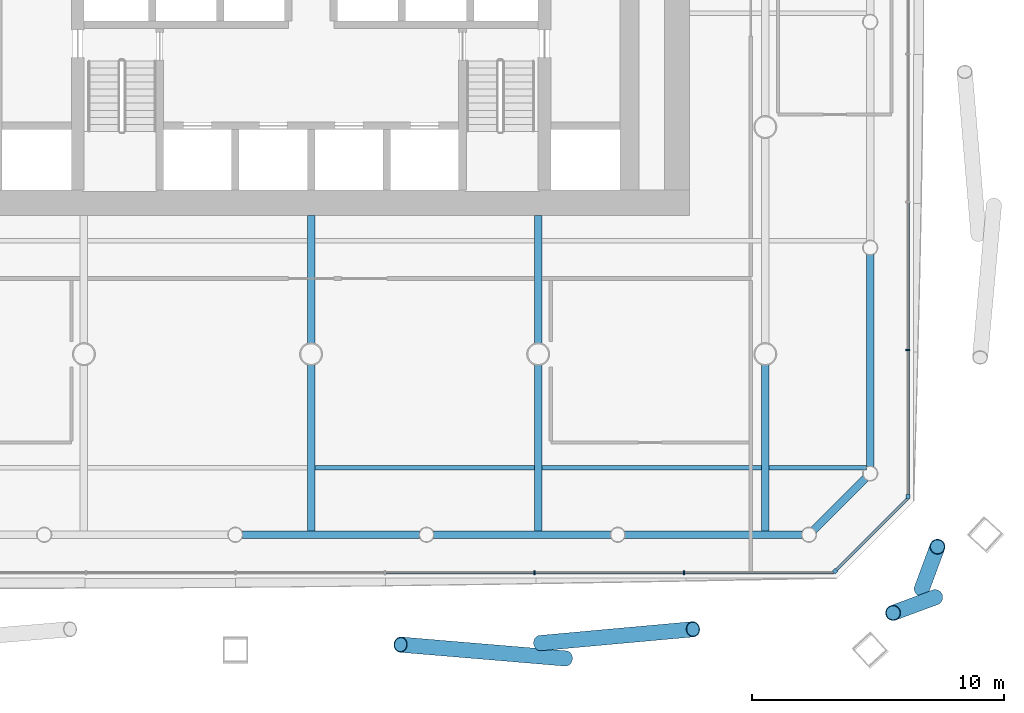
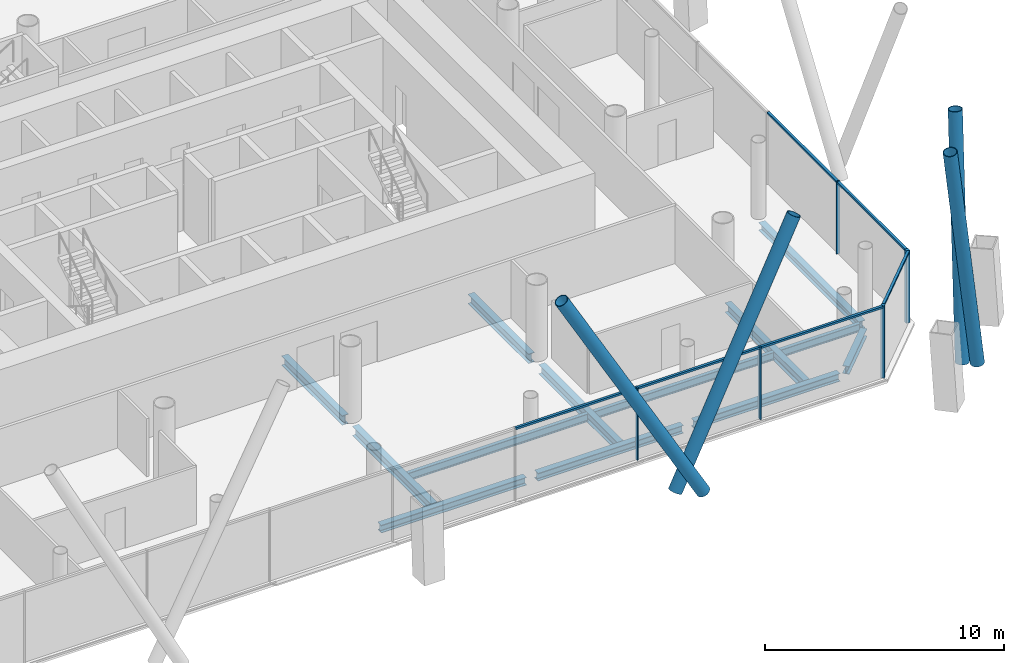
# One storey, part 7 of 25: 15 members, 13 beams, 3 elements without a shape of their own.
"""IFC4 building model written with IfcOpenShell, lengths in metres."""

from ifc_helpers import new_model, si_unit, direction, frame, origin, origin_2d, place, context, subcontext, project, spatial, rectangle, hollow_circle, i_section, extrude, material, material_profile, profile_set, type_object, element, aggregate, save


model = new_model("IFC4")

# Units and contexts
model_context = context("Model", 3, precision=1e-05, world=origin(), true_north=direction((0.0, 1.0)))
body_context = subcontext(model_context, "Body", "Model", "MODEL_VIEW")
ifc_project = project(units=[si_unit("LENGTHUNIT", "METRE"), si_unit("AREAUNIT", "SQUARE_METRE"), si_unit("VOLUMEUNIT", "CUBIC_METRE"), si_unit("PLANEANGLEUNIT", "RADIAN"), si_unit("MASSUNIT", "GRAM", prefix="KILO")], contexts=[model_context])

# Site, building, storey
site_placement = place(None, origin())
site = spatial("IfcSite", under=ifc_project, at=site_placement, CompositionType="ELEMENT")
building_placement = place(site_placement, origin())
building = spatial("IfcBuilding", under=site, at=building_placement, Name="Tskaro Facet Tower", CompositionType="ELEMENT")
storey_placement = place(building_placement, frame((0.0, 0.0, 34.199951171875)))
storey = spatial("IfcBuildingStorey", under=building, at=storey_placement, Name="L07", CompositionType="ELEMENT", Elevation=34.199951171875)

# Members
ifc_material_1 = material(Name="Steel S355J2H", Category="steel")
ifc_material_profile_1 = material_profile(ifc_material_1, hollow_circle(Radius=0.304931640625, WallThickness=0.030029296875, at=origin_2d()), Name="CHS 610x30")
ifc_profile_set_1 = profile_set([ifc_material_profile_1], Name="Steel S355J2H")
member_type_1 = type_object("IfcMemberType", Name="CHS 610x30 brace", PredefinedType="BRACE", material=ifc_profile_set_1)
member_1_placement = place(storey_placement, frame((9.090087890625, -29.449462890625, 0.0), z_axis=(0.458620557373, 0.041546280702, 0.887660459249), x_axis=(-0.090220221622, 0.995921840111, 0.0)))
element("IfcMember", 1, at=member_1_placement, inside=storey, type_object=member_type_1, Name="CHS 610x30 XB02A/1", PredefinedType="BRACE", context=body_context, shape_type="SweptSolid", body=[
    extrude(hollow_circle(Radius=0.304931640625, WallThickness=0.030029296875, at=origin_2d()), origin(), (0.0, 0.0, 1.0), 13.1806640625),
])
member_2_placement = place(storey_placement, frame((10.090576171875, -30.0595703125, 0.0), z_axis=(-0.487823530794, 0.040830884114, 0.871986835741), x_axis=(-0.083408454157, -0.996515443822, 0.0)))
element("IfcMember", 2, at=member_2_placement, inside=storey, type_object=member_type_1, Name="CHS 610x30 XB02B/1", PredefinedType="BRACE", context=body_context, shape_type="SweptSolid", body=[
    extrude(hollow_circle(Radius=0.304931640625, WallThickness=0.030029296875, at=origin_2d()), origin(), (0.0, 0.0, 1.0), 13.41748046875),
])
for number, where, z_axis, x_axis, name in (
    (3, (24.204345703125, -27.29931640625, 0.0), (0.052337663775, 0.140901160262, 0.988639283049), (-0.937418872093, 0.348203759663, 0.0), "CHS 610x30 XB03A/1"),
    (4, (24.730712890625, -27.6357421875, 0.0), (-0.140901160262, -0.052337663775, 0.988639283049), (0.348203759663, -0.937418872093, 0.0), "CHS 610x30 XB03B/1"),
):
    element("IfcMember", number, at=place(storey_placement, frame(where, z_axis=z_axis, x_axis=x_axis)), inside=storey, type_object=member_type_1, Name=name, PredefinedType="BRACE", context=body_context, shape_type="SweptSolid", body=[
        extrude(hollow_circle(Radius=0.304931640625, WallThickness=0.030029296875, at=origin_2d()), origin(), (0.0, 0.0, 1.0), 11.83447265625),
    ])

# Curtain wall, member
ifc_material_2 = material(Name="Bronze anodised aluminium 6063-T6", Category="aluminium")
curtain_wall_type = type_object("IfcCurtainWallType", Name="Bronze office curtain wall (FW1)", PredefinedType="NOTDEFINED", material=ifc_material_2)
curtain_wall_1_placement = place(storey_placement, origin())
curtain_wall_1 = element("IfcCurtainWall", 5, at=curtain_wall_1_placement, inside=storey, type_object=curtain_wall_type, Name="FW1 south-east facet L07", PredefinedType="NOTDEFINED")
ifc_material_profile_2 = material_profile(ifc_material_2, rectangle(XDim=0.159912109375, YDim=0.159912109375, at=origin_2d()), Name="Corner post 160x160")
ifc_profile_set_2 = profile_set([ifc_material_profile_2], Name="Bronze anodised aluminium 6063-T6")
member_type_2 = type_object("IfcMemberType", Name="FW1 bronze corner post 160x160", PredefinedType="MULLION", material=ifc_profile_set_2)
member_3_placement = place(storey_placement, frame((20.76953125, -26.597412109375, 0.0), z_axis=(0.0, 0.0, 1.0), x_axis=(0.707106781187, 0.707106781187, 0.0)))
member_3 = element("IfcMember", 6, at=member_3_placement, type_object=member_type_2, Name="FW1 south-east corner post", PredefinedType="MULLION", context=body_context, shape_type="SweptSolid", body=[
    extrude(rectangle(XDim=0.159912109375, YDim=0.159912109375, at=origin_2d()), origin(), (0.0, 0.0, 1.0), 3.699951171875),
])

curtain_wall_2_placement = place(storey_placement, origin())
curtain_wall_2 = element("IfcCurtainWall", 7, at=curtain_wall_2_placement, inside=storey, type_object=curtain_wall_type, Name="FW1 east facet L07", PredefinedType="NOTDEFINED")
member_4_placement = place(storey_placement, frame((23.654052734375, -23.633056640625, 0.0), z_axis=(0.0, 0.0, 1.0), x_axis=(0.0, 1.0, 0.0)))
member_4 = element("IfcMember", 8, at=member_4_placement, type_object=member_type_2, Name="FW1 east corner post", PredefinedType="MULLION", context=body_context, shape_type="SweptSolid", body=[
    extrude(rectangle(XDim=0.159912109375, YDim=0.159912109375, at=origin_2d()), origin(), (0.0, 0.0, 1.0), 3.699951171875),
])

# Curtain wall, members
curtain_wall_3_placement = place(storey_placement, origin())
curtain_wall_3 = element("IfcCurtainWall", 9, at=curtain_wall_3_placement, inside=storey, type_object=curtain_wall_type, Name="FW1 south facet L07", PredefinedType="NOTDEFINED")
ifc_material_profile_3 = material_profile(ifc_material_2, rectangle(XDim=0.06005859375, YDim=0.159912109375, at=origin_2d()), Name="Mullion 60x160")
ifc_profile_set_3 = profile_set([ifc_material_profile_3], Name="Bronze anodised aluminium 6063-T6")
member_type_3 = type_object("IfcMemberType", Name="FW1 bronze mullion 60x160", PredefinedType="MULLION", material=ifc_profile_set_3)
member_5_placement = place(storey_placement, frame((8.8564453125, -26.654052734375, 0.0), z_axis=(0.0, 0.0, 1.0), x_axis=(1.0, 0.0, 0.0)))
member_5 = element("IfcMember", 10, at=member_5_placement, type_object=member_type_3, Name="FW1 south mullion 6", PredefinedType="MULLION", context=body_context, shape_type="SweptSolid", body=[
    extrude(rectangle(XDim=0.06005859375, YDim=0.159912109375, at=origin_2d()), origin(), (0.0, 0.0, 1.0), 3.699951171875),
])
member_6_placement = place(storey_placement, frame((14.78466796875, -26.654052734375, 0.0), z_axis=(0.0, 0.0, 1.0), x_axis=(1.0, 0.0, 0.0)))
member_6 = element("IfcMember", 11, at=member_6_placement, type_object=member_type_3, Name="FW1 south mullion 7", PredefinedType="MULLION", context=body_context, shape_type="SweptSolid", body=[
    extrude(rectangle(XDim=0.06005859375, YDim=0.159912109375, at=origin_2d()), origin(), (0.0, 0.0, 1.0), 3.699951171875),
])

# Member
member_7_placement = place(storey_placement, frame((23.654052734375, -17.844482421875, 0.0), z_axis=(0.0, 0.0, 1.0), x_axis=(0.0, 1.0, 0.0)))
member_7 = element("IfcMember", 12, at=member_7_placement, type_object=member_type_3, Name="FW1 east mullion 1", PredefinedType="MULLION", context=body_context, shape_type="SweptSolid", body=[
    extrude(rectangle(XDim=0.06005859375, YDim=0.159912109375, at=origin_2d()), origin(), (0.0, 0.0, 1.0), 3.699951171875),
])

ifc_material_profile_4 = material_profile(ifc_material_2, rectangle(XDim=0.1201171875, YDim=0.10009765625, at=origin_2d()), Name="Transom 120x100")
ifc_profile_set_4 = profile_set([ifc_material_profile_4], Name="Bronze anodised aluminium 6063-T6")
member_type_4 = type_object("IfcMemberType", Name="FW1 bronze transom 120x100", PredefinedType="USERDEFINED", material=ifc_profile_set_4)
member_8_placement = place(storey_placement, frame((2.958251953125, -26.654052734375, 3.650146484375), z_axis=(1.0, 0.0, 0.0), x_axis=(0.0, 1.0, 0.0)))
member_8 = element("IfcMember", 13, at=member_8_placement, type_object=member_type_4, Name="FW1 south transom 6.1", ObjectType="TRANSOM", PredefinedType="USERDEFINED", context=body_context, shape_type="SweptSolid", body=[
    extrude(rectangle(XDim=0.1201171875, YDim=0.10009765625, at=origin_2d()), origin(), (0.0, 0.0, 1.0), 5.8681640625),
])

member_9_placement = place(storey_placement, frame((8.886474609375, -26.654052734375, 3.650146484375), z_axis=(1.0, 0.0, 0.0), x_axis=(0.0, 1.0, 0.0)))
member_9 = element("IfcMember", 14, at=member_9_placement, type_object=member_type_4, Name="FW1 south transom 7.1", ObjectType="TRANSOM", PredefinedType="USERDEFINED", context=body_context, shape_type="SweptSolid", body=[
    extrude(rectangle(XDim=0.1201171875, YDim=0.10009765625, at=origin_2d()), origin(), (0.0, 0.0, 1.0), 5.8681640625),
])

member_10_placement = place(storey_placement, frame((14.814697265625, -26.654052734375, 3.650146484375), z_axis=(1.0, 0.0, 0.0), x_axis=(0.0, 1.0, 0.0)))
member_10 = element("IfcMember", 15, at=member_10_placement, type_object=member_type_4, Name="FW1 south transom 8.1", ObjectType="TRANSOM", PredefinedType="USERDEFINED", context=body_context, shape_type="SweptSolid", body=[
    extrude(rectangle(XDim=0.1201171875, YDim=0.10009765625, at=origin_2d()), origin(), (0.0, 0.0, 1.0), 5.898193359375),
])

aggregate(curtain_wall_3, [member_5, member_6, member_8, member_9, member_10])

member_11_placement = place(storey_placement, frame((20.826171875, -26.540771484375, 3.650146484375), z_axis=(0.707106781187, 0.707106781187, 0.0), x_axis=(-0.707106781187, 0.707106781187, 0.0)))
member_11 = element("IfcMember", 16, at=member_11_placement, type_object=member_type_4, Name="FW1 south-east transom 1.1", ObjectType="TRANSOM", PredefinedType="USERDEFINED", context=body_context, shape_type="SweptSolid", body=[
    extrude(rectangle(XDim=0.1201171875, YDim=0.10009765625, at=origin_2d()), origin(), (0.0, 0.0, 1.0), 3.999267578125),
])

aggregate(curtain_wall_1, [member_3, member_11])

member_12_placement = place(storey_placement, frame((23.654052734375, -23.552978515625, 3.650146484375), z_axis=(0.0, 1.0, 0.0), x_axis=(-1.0, 0.0, 0.0)))
member_12 = element("IfcMember", 17, at=member_12_placement, type_object=member_type_4, Name="FW1 east transom 1.1", ObjectType="TRANSOM", PredefinedType="USERDEFINED", context=body_context, shape_type="SweptSolid", body=[
    extrude(rectangle(XDim=0.1201171875, YDim=0.10009765625, at=origin_2d()), origin(), (0.0, 0.0, 1.0), 5.678466796875),
])

member_13_placement = place(storey_placement, frame((23.654052734375, -17.814453125, 3.650146484375), z_axis=(0.0, 1.0, 0.0), x_axis=(-1.0, 0.0, 0.0)))
member_13 = element("IfcMember", 18, at=member_13_placement, type_object=member_type_4, Name="FW1 east transom 2.1", ObjectType="TRANSOM", PredefinedType="USERDEFINED", context=body_context, shape_type="SweptSolid", body=[
    extrude(rectangle(XDim=0.1201171875, YDim=0.10009765625, at=origin_2d()), origin(), (0.0, 0.0, 1.0), 5.808349609375),
])

aggregate(curtain_wall_2, [member_4, member_7, member_12, member_13])

# Beams
ifc_material_3 = material(Name="Steel S355J2", Category="steel")
ifc_material_profile_5 = material_profile(ifc_material_3, i_section(OverallWidth=0.300048828125, OverallDepth=0.39990234375, WebThickness=0.013427734375, FlangeThickness=0.02392578125, FilletRadius=0.027099609375, at=origin_2d()), Name="HE 400 B")
ifc_profile_set_5 = profile_set([ifc_material_profile_5], Name="Steel S355J2")
beam_type_1 = type_object("IfcBeamType", Name="HE 400 B ring beam", PredefinedType="BEAM", material=ifc_profile_set_5)
beam_1_placement = place(storey_placement, frame((-2.72509765625, -25.156982421875, -0.33984375), z_axis=(1.0, 0.0, 0.0), x_axis=(0.0, 1.0, 0.0)))
element("IfcBeam", 19, at=beam_1_placement, inside=storey, type_object=beam_type_1, Name="HE 400 B EB4-1", PredefinedType="BEAM", context=body_context, shape_type="SweptSolid", body=[
    extrude(i_section(OverallWidth=0.300048828125, OverallDepth=0.39990234375, WebThickness=0.013427734375, FlangeThickness=0.02392578125, FilletRadius=0.027099609375, at=origin_2d()), origin(), (0.0, 0.0, 1.0), 7.026123046875),
])
beam_2_placement = place(storey_placement, frame((4.85107421875, -25.156982421875, -0.33984375), z_axis=(1.0, 0.0, 0.0), x_axis=(0.0, 1.0, 0.0)))
element("IfcBeam", 20, at=beam_2_placement, inside=storey, type_object=beam_type_1, Name="HE 400 B EB5-1", PredefinedType="BEAM", context=body_context, shape_type="SweptSolid", body=[
    extrude(i_section(OverallWidth=0.300048828125, OverallDepth=0.39990234375, WebThickness=0.013427734375, FlangeThickness=0.02392578125, FilletRadius=0.027099609375, at=origin_2d()), origin(), (0.0, 0.0, 1.0), 7.02685546875),
])
beam_3_placement = place(storey_placement, frame((12.427978515625, -25.156982421875, -0.33984375), z_axis=(1.0, 0.0, 0.0), x_axis=(0.0, 1.0, 0.0)))
element("IfcBeam", 21, at=beam_3_placement, inside=storey, type_object=beam_type_1, Name="HE 400 B EB6-1", PredefinedType="BEAM", context=body_context, shape_type="SweptSolid", body=[
    extrude(i_section(OverallWidth=0.300048828125, OverallDepth=0.39990234375, WebThickness=0.013427734375, FlangeThickness=0.02392578125, FilletRadius=0.027099609375, at=origin_2d()), origin(), (0.0, 0.0, 1.0), 7.026123046875),
])
beam_4_placement = place(storey_placement, frame((19.92333984375, -24.962646484375, -0.33984375), z_axis=(0.707106781187, 0.707106781187, 0.0), x_axis=(-0.707106781187, 0.707106781187, 0.0)))
element("IfcBeam", 22, at=beam_4_placement, inside=storey, type_object=beam_type_1, Name="HE 400 B EB7-1", PredefinedType="BEAM", context=body_context, shape_type="SweptSolid", body=[
    extrude(i_section(OverallWidth=0.300048828125, OverallDepth=0.39990234375, WebThickness=0.013427734375, FlangeThickness=0.02392578125, FilletRadius=0.027099609375, at=origin_2d()), origin(), (0.0, 0.0, 1.0), 2.884033203125),
])
beam_5_placement = place(storey_placement, frame((22.156982421875, -22.4541015625, -0.33984375), z_axis=(0.0, 1.0, 0.0), x_axis=(-1.0, 0.0, 0.0)))
element("IfcBeam", 23, at=beam_5_placement, inside=storey, type_object=beam_type_1, Name="HE 400 B EB8-1", PredefinedType="BEAM", context=body_context, shape_type="SweptSolid", body=[
    extrude(i_section(OverallWidth=0.300048828125, OverallDepth=0.39990234375, WebThickness=0.013427734375, FlangeThickness=0.02392578125, FilletRadius=0.027099609375, at=origin_2d()), origin(), (0.0, 0.0, 1.0), 8.398193359375),
])
ifc_material_profile_6 = material_profile(ifc_material_3, i_section(OverallWidth=0.300048828125, OverallDepth=0.489990234375, WebThickness=0.011962890625, FlangeThickness=0.02294921875, FilletRadius=0.027099609375, at=origin_2d()), Name="HE 500 A")
ifc_profile_set_6 = profile_set([ifc_material_profile_6], Name="Steel S355J2")
beam_type_2 = type_object("IfcBeamType", Name="HE 500 A girder", PredefinedType="BEAM", material=ifc_profile_set_6)
beam_6_placement = place(storey_placement, frame((0.0, -25.007080078125, -0.385009765625), z_axis=(0.0, 1.0, 0.0), x_axis=(-1.0, 0.0, 0.0)))
element("IfcBeam", 24, at=beam_6_placement, inside=storey, type_object=beam_type_2, Name="HE 500 A GB4-1-1", PredefinedType="BEAM", context=body_context, shape_type="SweptSolid", body=[
    extrude(i_section(OverallWidth=0.300048828125, OverallDepth=0.489990234375, WebThickness=0.011962890625, FlangeThickness=0.02294921875, FilletRadius=0.027099609375, at=origin_2d()), origin(), (0.0, 0.0, 1.0), 6.579833984375),
])
beam_7_placement = place(storey_placement, frame((0.0, -17.57275390625, -0.385009765625), z_axis=(0.0, 1.0, 0.0), x_axis=(-1.0, 0.0, 0.0)))
element("IfcBeam", 25, at=beam_7_placement, inside=storey, type_object=beam_type_2, Name="HE 500 A GB4-2-1", PredefinedType="BEAM", context=body_context, shape_type="SweptSolid", body=[
    extrude(i_section(OverallWidth=0.300048828125, OverallDepth=0.489990234375, WebThickness=0.011962890625, FlangeThickness=0.02294921875, FilletRadius=0.027099609375, at=origin_2d()), origin(), (0.0, 0.0, 1.0), 5.07275390625),
])
beam_8_placement = place(storey_placement, frame((9.0, -25.007080078125, -0.385009765625), z_axis=(0.0, 1.0, 0.0), x_axis=(-1.0, 0.0, 0.0)))
element("IfcBeam", 26, at=beam_8_placement, inside=storey, type_object=beam_type_2, Name="HE 500 A GB5-1-1", PredefinedType="BEAM", context=body_context, shape_type="SweptSolid", body=[
    extrude(i_section(OverallWidth=0.300048828125, OverallDepth=0.489990234375, WebThickness=0.011962890625, FlangeThickness=0.02294921875, FilletRadius=0.027099609375, at=origin_2d()), origin(), (0.0, 0.0, 1.0), 6.579833984375),
])
beam_9_placement = place(storey_placement, frame((9.0, -17.57275390625, -0.385009765625), z_axis=(0.0, 1.0, 0.0), x_axis=(-1.0, 0.0, 0.0)))
element("IfcBeam", 27, at=beam_9_placement, inside=storey, type_object=beam_type_2, Name="HE 500 A GB5-2-1", PredefinedType="BEAM", context=body_context, shape_type="SweptSolid", body=[
    extrude(i_section(OverallWidth=0.300048828125, OverallDepth=0.489990234375, WebThickness=0.011962890625, FlangeThickness=0.02294921875, FilletRadius=0.027099609375, at=origin_2d()), origin(), (0.0, 0.0, 1.0), 5.07275390625),
])
beam_10_placement = place(storey_placement, frame((18.0, -25.007080078125, -0.385009765625), z_axis=(0.0, 1.0, 0.0), x_axis=(-1.0, 0.0, 0.0)))
element("IfcBeam", 28, at=beam_10_placement, inside=storey, type_object=beam_type_2, Name="HE 500 A GB6-1-1", PredefinedType="BEAM", context=body_context, shape_type="SweptSolid", body=[
    extrude(i_section(OverallWidth=0.300048828125, OverallDepth=0.489990234375, WebThickness=0.011962890625, FlangeThickness=0.02294921875, FilletRadius=0.027099609375, at=origin_2d()), origin(), (0.0, 0.0, 1.0), 6.579833984375),
])
ifc_material_profile_7 = material_profile(ifc_material_3, i_section(OverallWidth=0.179931640625, OverallDepth=0.39990234375, WebThickness=0.008544921875, FlangeThickness=0.013427734375, FilletRadius=0.02099609375, at=origin_2d()), Name="IPE 400")
ifc_profile_set_7 = profile_set([ifc_material_profile_7], Name="Steel S355J2")
beam_type_3 = type_object("IfcBeamType", Name="IPE 400 secondary beam", PredefinedType="BEAM", material=ifc_profile_set_7)
for number, where, z_axis, x_axis, name in (
    (29, (0.14990234375, -22.5, -0.33984375), (1.0, 0.0, 0.0), (0.0, 1.0, 0.0), "IPE 400 SB1a-4-1"),
    (30, (9.14990234375, -22.5, -0.33984375), (1.0, 0.0, 0.0), (0.0, 1.0, 0.0), "IPE 400 SB1a-5-1"),
):
    element("IfcBeam", number, at=place(storey_placement, frame(where, z_axis=z_axis, x_axis=x_axis)), inside=storey, type_object=beam_type_3, Name=name, PredefinedType="BEAM", context=body_context, shape_type="SweptSolid", body=[
        extrude(i_section(OverallWidth=0.179931640625, OverallDepth=0.39990234375, WebThickness=0.008544921875, FlangeThickness=0.013427734375, FilletRadius=0.02099609375, at=origin_2d()), origin(), (0.0, 0.0, 1.0), 8.7001953125),
    ])
beam_11_placement = place(storey_placement, frame((18.14990234375, -22.5, -0.33984375), z_axis=(1.0, 0.0, 0.0), x_axis=(0.0, 1.0, 0.0)))
element("IfcBeam", 31, at=beam_11_placement, inside=storey, type_object=beam_type_3, Name="IPE 400 SB1a-6-1", PredefinedType="BEAM", context=body_context, shape_type="SweptSolid", body=[
    extrude(i_section(OverallWidth=0.179931640625, OverallDepth=0.39990234375, WebThickness=0.008544921875, FlangeThickness=0.013427734375, FilletRadius=0.02099609375, at=origin_2d()), origin(), (0.0, 0.0, 1.0), 3.857177734375),
])

save(model, "model.ifc")
